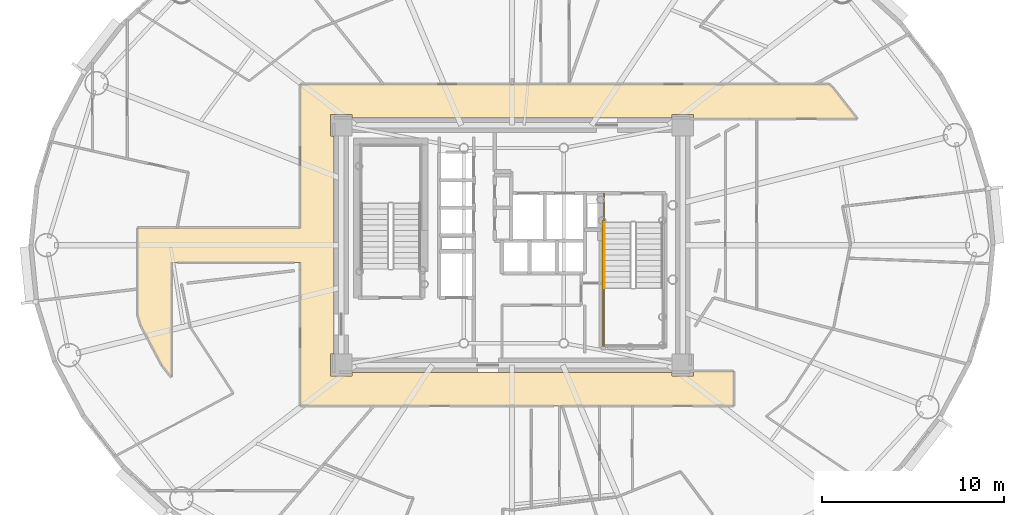
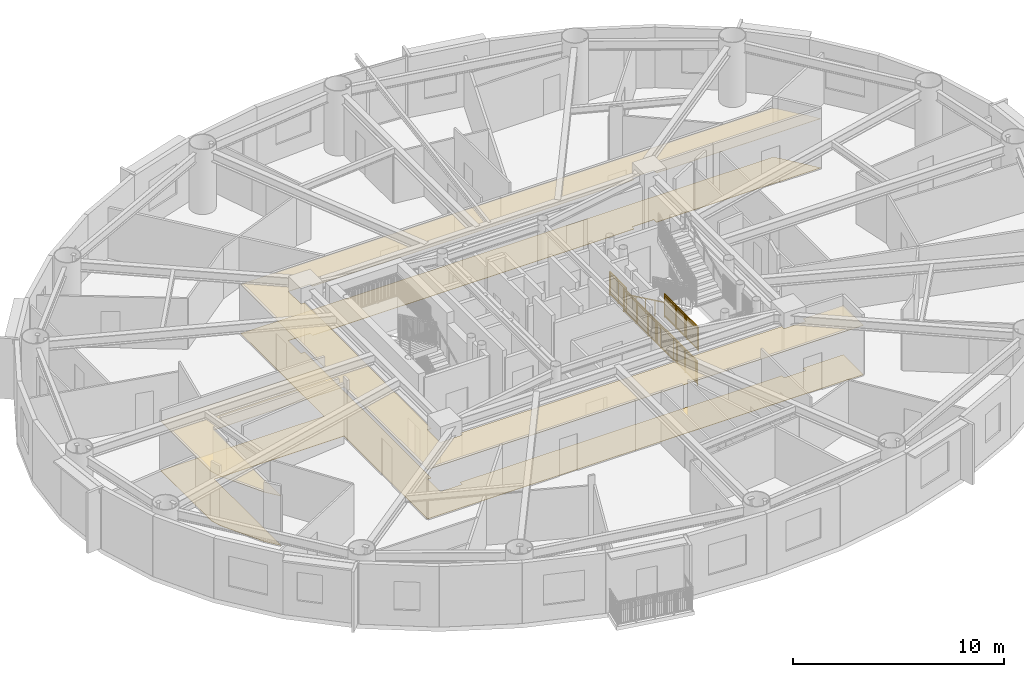
# One storey, part 14 of 17: 4 railings, 2 coverings.
"""IFC4 building model written with IfcOpenShell, lengths in metres."""

from ifc_helpers import new_model, si_unit, direction, frame, origin, origin_2d, place, context, subcontext, project, spatial, polyline, rectangle, outline, extrude, source, transform, mapped, material, layer, layer_set, type_object, element, save


model = new_model("IFC4")

# Units and contexts
model_context = context("Model", 3, precision=1e-05, world=origin(), true_north=direction((0.0, 1.0)))
body_context = subcontext(model_context, "Body", "Model", "MODEL_VIEW")
ifc_project = project(units=[si_unit("LENGTHUNIT", "METRE"), si_unit("AREAUNIT", "SQUARE_METRE"), si_unit("VOLUMEUNIT", "CUBIC_METRE"), si_unit("PLANEANGLEUNIT", "RADIAN"), si_unit("MASSUNIT", "GRAM", prefix="KILO")], contexts=[model_context])

# Site, building, storey
site_placement = place(None, origin())
site = spatial("IfcSite", under=ifc_project, at=site_placement, CompositionType="ELEMENT")
building_placement = place(site_placement, origin())
building = spatial("IfcBuilding", under=site, at=building_placement, Name="Linh Dai School and Residence Tower", CompositionType="ELEMENT")
storey_placement = place(building_placement, frame((0.0, 0.0, 182.39990234375)))
storey = spatial("IfcBuildingStorey", under=building, at=storey_placement, Name="L44", CompositionType="ELEMENT", Elevation=182.39990234375)

# Coverings
ifc_material_1 = material(Name="Mineral Fibre Acoustic Suspended Ceiling", Category="masonry")
ifc_layer_1 = layer(ifc_material_1, 0.02001953125)
ifc_layer_set_1 = layer_set([ifc_layer_1], Name="Mineral Fibre Acoustic Suspended Ceiling")
covering_type_1 = type_object("IfcCoveringType", Name="COV-CEIL-AC-20", PredefinedType="CEILING", material=ifc_layer_set_1)
covering_1_placement = place(storey_placement, frame((0.0, 0.0, 2.85009765625)))
element("IfcCovering", 1, at=covering_1_placement, inside=storey, type_object=covering_type_1, Name="L44 Residential Floor Corridor Suspended Ceiling", PredefinedType="CEILING", context=body_context, shape_type="SweptSolid", body=[
    extrude(outline(polyline([(17.25, 19.734375), (16.720458984375, 20.410888671875), (15.57421875, 22.577880859375), (15.39990234375, 23.14599609375), (15.39990234375, 27.949951171875), (24.35009765625, 27.949951171875), (24.35009765625, 35.85009765625), (53.453857421875, 35.85009765625), (53.6533203125, 35.6669921875), (54.9970703125, 33.949951171875), (46.0, 33.949951171875), (46.0, 34.199951171875), (44.800048828125, 34.199951171875), (44.800048828125, 34.0), (27.199951171875, 34.0), (27.199951171875, 34.199951171875), (26.0, 34.199951171875), (26.0, 33.0), (26.199951171875, 33.0), (26.199951171875, 21.0), (26.0, 21.0), (26.0, 19.800048828125), (27.199951171875, 19.800048828125), (27.199951171875, 20.0), (44.800048828125, 20.0), (44.800048828125, 19.800048828125), (46.0, 19.800048828125), (46.0, 20.050048828125), (48.199951171875, 20.050048828125), (48.199951171875, 18.14990234375), (24.35009765625, 18.14990234375), (24.35009765625, 26.050048828125), (17.25, 26.050048828125), (17.25, 19.734375)])), origin(), (0.0, 0.0, 1.0), 0.02001953125),
])
ifc_material_2 = material(Name="Polished Terrazzo Floor Finish", Category="masonry")
ifc_layer_2 = layer(ifc_material_2, 0.02490234375)
ifc_layer_set_2 = layer_set([ifc_layer_2], Name="Polished Terrazzo Floor Finish")
covering_type_2 = type_object("IfcCoveringType", Name="COV-FLR-TRZ-25", PredefinedType="FLOORING", material=ifc_layer_set_2)
covering_2_placement = place(storey_placement, origin())
element("IfcCovering", 2, at=covering_2_placement, inside=storey, type_object=covering_type_2, Name="L44 Residential Floor Corridor Floor Finish", PredefinedType="FLOORING", context=body_context, shape_type="SweptSolid", body=[
    extrude(outline(polyline([(17.25, 19.734375), (16.720458984375, 20.410888671875), (15.57421875, 22.577880859375), (15.39990234375, 23.14599609375), (15.39990234375, 27.949951171875), (24.35009765625, 27.949951171875), (24.35009765625, 35.85009765625), (53.453857421875, 35.85009765625), (53.6533203125, 35.6669921875), (54.9970703125, 33.949951171875), (46.0, 33.949951171875), (46.0, 34.199951171875), (44.800048828125, 34.199951171875), (44.800048828125, 34.0), (27.199951171875, 34.0), (27.199951171875, 34.199951171875), (26.0, 34.199951171875), (26.0, 33.0), (26.199951171875, 33.0), (26.199951171875, 21.0), (26.0, 21.0), (26.0, 19.800048828125), (27.199951171875, 19.800048828125), (27.199951171875, 20.0), (44.800048828125, 20.0), (44.800048828125, 19.800048828125), (46.0, 19.800048828125), (46.0, 20.050048828125), (48.199951171875, 20.050048828125), (48.199951171875, 18.14990234375), (24.35009765625, 18.14990234375), (24.35009765625, 26.050048828125), (17.25, 26.050048828125), (17.25, 19.734375)])), origin(), (0.0, 0.0, 1.0), 0.02001953125),
])

# Railings
ifc_material_3 = material(Name="Brushed Stainless Steel Handrail", Category="steel")
railing_type_1 = type_object("IfcRailingType", Name="RL-ST-HANDRAIL-900", PredefinedType="HANDRAIL", material=ifc_material_3)
shared_shape_1 = source(origin(), body_context, "Body", "SweptSolid", [
    extrude(rectangle(XDim=0.048095703125, YDim=0.048095703125, at=origin_2d()), frame((0.0, 0.0, 0.8759765625), z_axis=(0.0, -0.901262522062, 0.433273431364), x_axis=(1.0, 0.0, 0.0)), (0.0, 0.0, 1.0), 3.994384765625),
    extrude(rectangle(XDim=0.0419921875, YDim=0.0419921875, at=origin_2d()), origin(), (0.0, 0.0, 1.0), 0.8759765625),
    extrude(rectangle(XDim=0.0419921875, YDim=0.0419921875, at=origin_2d()), frame((0.0, -0.89990234375, 0.4326171875)), (0.0, 0.0, 1.0), 0.8759765625),
    extrude(rectangle(XDim=0.0419921875, YDim=0.0419921875, at=origin_2d()), frame((0.0, -1.800048828125, 0.865234375)), (0.0, 0.0, 1.0), 0.8759765625),
    extrude(rectangle(XDim=0.0419921875, YDim=0.0419921875, at=origin_2d()), frame((0.0, -2.7001953125, 1.298095703125)), (0.0, 0.0, 1.0), 0.8759765625),
    extrude(rectangle(XDim=0.0419921875, YDim=0.0419921875, at=origin_2d()), frame((0.0, -3.60009765625, 1.730712890625)), (0.0, 0.0, 1.0), 0.8759765625),
])
railing_1_placement = place(storey_placement, frame((41.070068359375, 28.25, 0.144287109375)))
element("IfcRailing", 3, at=railing_1_placement, inside=storey, type_object=railing_type_1, Name="L44 ST2 stair handrail 1", PredefinedType="HANDRAIL", context=body_context, shape_type="MappedRepresentation", body=[
    mapped(shared_shape_1, transform((0.0, 0.0, 0.0), x_axis=(1.0, 0.0, 0.0), y_axis=(0.0, 1.0, 0.0), z_axis=(0.0, 0.0, 1.0), scale=1.0)),
])
ifc_material_4 = material(Name="Structural Steel S355JR", Category="steel")
railing_type_2 = type_object("IfcRailingType", Name="RL-ST-GUARD-1400", PredefinedType="GUARDRAIL", material=ifc_material_4)
shared_shape_2 = source(origin(), body_context, "Body", "SweptSolid", [
    extrude(rectangle(XDim=0.048095703125, YDim=0.048095703125, at=origin_2d()), frame((0.0, 0.0, 1.3759765625), z_axis=(0.0, -1.0, 0.0), x_axis=(1.0, 0.0, 0.0)), (0.0, 0.0, 1.0), 1.60009765625),
    extrude(rectangle(XDim=0.048095703125, YDim=0.048095703125, at=origin_2d()), frame((0.0, 0.0, 0.10009765625), z_axis=(0.0, -1.0, 0.0), x_axis=(1.0, 0.0, 0.0)), (0.0, 0.0, 1.0), 1.60009765625),
    extrude(rectangle(XDim=0.030029296875, YDim=0.030029296875, at=origin_2d()), frame((0.0, 0.0, 1.239990234375), z_axis=(0.0, -1.0, 0.0), x_axis=(1.0, 0.0, 0.0)), (0.0, 0.0, 1.0), 1.60009765625),
    extrude(rectangle(XDim=0.02001953125, YDim=0.02001953125, at=origin_2d()), frame((0.0, -0.09423828125, 0.10009765625)), (0.0, 0.0, 1.0), 1.251708984375),
    extrude(rectangle(XDim=0.02001953125, YDim=0.02001953125, at=origin_2d()), frame((0.0, -0.188232421875, 0.10009765625)), (0.0, 0.0, 1.0), 1.251708984375),
    extrude(rectangle(XDim=0.02001953125, YDim=0.02001953125, at=origin_2d()), frame((0.0, -0.282470703125, 0.10009765625)), (0.0, 0.0, 1.0), 1.251708984375),
    extrude(rectangle(XDim=0.02001953125, YDim=0.02001953125, at=origin_2d()), frame((0.0, -0.37646484375, 0.10009765625)), (0.0, 0.0, 1.0), 1.251708984375),
    extrude(rectangle(XDim=0.02001953125, YDim=0.02001953125, at=origin_2d()), frame((0.0, -0.470703125, 0.10009765625)), (0.0, 0.0, 1.0), 1.251708984375),
    extrude(rectangle(XDim=0.02001953125, YDim=0.02001953125, at=origin_2d()), frame((0.0, -0.564697265625, 0.10009765625)), (0.0, 0.0, 1.0), 1.251708984375),
    extrude(rectangle(XDim=0.02001953125, YDim=0.02001953125, at=origin_2d()), frame((0.0, -0.658935546875, 0.10009765625)), (0.0, 0.0, 1.0), 1.251708984375),
    extrude(rectangle(XDim=0.02001953125, YDim=0.02001953125, at=origin_2d()), frame((0.0, -0.7529296875, 0.10009765625)), (0.0, 0.0, 1.0), 1.251708984375),
    extrude(rectangle(XDim=0.02001953125, YDim=0.02001953125, at=origin_2d()), frame((0.0, -0.84716796875, 0.10009765625)), (0.0, 0.0, 1.0), 1.251708984375),
    extrude(rectangle(XDim=0.02001953125, YDim=0.02001953125, at=origin_2d()), frame((0.0, -0.941162109375, 0.10009765625)), (0.0, 0.0, 1.0), 1.251708984375),
    extrude(rectangle(XDim=0.02001953125, YDim=0.02001953125, at=origin_2d()), frame((0.0, -1.035400390625, 0.10009765625)), (0.0, 0.0, 1.0), 1.251708984375),
    extrude(rectangle(XDim=0.02001953125, YDim=0.02001953125, at=origin_2d()), frame((0.0, -1.12939453125, 0.10009765625)), (0.0, 0.0, 1.0), 1.251708984375),
    extrude(rectangle(XDim=0.02001953125, YDim=0.02001953125, at=origin_2d()), frame((0.0, -1.2236328125, 0.10009765625)), (0.0, 0.0, 1.0), 1.251708984375),
    extrude(rectangle(XDim=0.02001953125, YDim=0.02001953125, at=origin_2d()), frame((0.0, -1.317626953125, 0.10009765625)), (0.0, 0.0, 1.0), 1.251708984375),
    extrude(rectangle(XDim=0.02001953125, YDim=0.02001953125, at=origin_2d()), frame((0.0, -1.411865234375, 0.10009765625)), (0.0, 0.0, 1.0), 1.251708984375),
    extrude(rectangle(XDim=0.02001953125, YDim=0.02001953125, at=origin_2d()), frame((0.0, -1.505859375, 0.10009765625)), (0.0, 0.0, 1.0), 1.251708984375),
    extrude(rectangle(XDim=0.0419921875, YDim=0.0419921875, at=origin_2d()), origin(), (0.0, 0.0, 1.0), 1.3759765625),
    extrude(rectangle(XDim=0.0419921875, YDim=0.0419921875, at=origin_2d()), frame((0.0, -0.800048828125, 0.0)), (0.0, 0.0, 1.0), 1.3759765625),
    extrude(rectangle(XDim=0.0419921875, YDim=0.0419921875, at=origin_2d()), frame((0.0, -1.60009765625, 0.0)), (0.0, 0.0, 1.0), 1.3759765625),
])
railing_2_placement = place(storey_placement, frame((41.070068359375, 29.85009765625, 0.0)))
element("IfcRailing", 4, at=railing_2_placement, inside=storey, type_object=railing_type_2, Name="L44 ST2 stair guard 8", PredefinedType="GUARDRAIL", context=body_context, shape_type="MappedRepresentation", body=[
    mapped(shared_shape_2, transform((0.0, 0.0, 0.0), x_axis=(1.0, 0.0, 0.0), y_axis=(0.0, 1.0, 0.0), z_axis=(0.0, 0.0, 1.0), scale=1.0)),
])
shared_shape_3 = source(origin(), body_context, "Body", "SweptSolid", [
    extrude(rectangle(XDim=0.048095703125, YDim=0.048095703125, at=origin_2d()), frame((0.0, 0.0, 1.3759765625), z_axis=(0.0, -1.0, 0.0), x_axis=(1.0, 0.0, 0.0)), (0.0, 0.0, 1.0), 7.0),
    extrude(rectangle(XDim=0.048095703125, YDim=0.048095703125, at=origin_2d()), frame((0.0, 0.0, 0.10009765625), z_axis=(0.0, -1.0, 0.0), x_axis=(1.0, 0.0, 0.0)), (0.0, 0.0, 1.0), 7.0),
    extrude(rectangle(XDim=0.030029296875, YDim=0.030029296875, at=origin_2d()), frame((0.0, 0.0, 1.239990234375), z_axis=(0.0, -1.0, 0.0), x_axis=(1.0, 0.0, 0.0)), (0.0, 0.0, 1.0), 7.0),
    extrude(rectangle(XDim=0.02001953125, YDim=0.02001953125, at=origin_2d()), frame((0.0, -0.09716796875, 0.10009765625)), (0.0, 0.0, 1.0), 1.251708984375),
    extrude(rectangle(XDim=0.02001953125, YDim=0.02001953125, at=origin_2d()), frame((0.0, -0.1943359375, 0.10009765625)), (0.0, 0.0, 1.0), 1.251708984375),
    extrude(rectangle(XDim=0.02001953125, YDim=0.02001953125, at=origin_2d()), frame((0.0, -0.291748046875, 0.10009765625)), (0.0, 0.0, 1.0), 1.251708984375),
    extrude(rectangle(XDim=0.02001953125, YDim=0.02001953125, at=origin_2d()), frame((0.0, -0.388916015625, 0.10009765625)), (0.0, 0.0, 1.0), 1.251708984375),
    extrude(rectangle(XDim=0.02001953125, YDim=0.02001953125, at=origin_2d()), frame((0.0, -0.486083984375, 0.10009765625)), (0.0, 0.0, 1.0), 1.251708984375),
    extrude(rectangle(XDim=0.02001953125, YDim=0.02001953125, at=origin_2d()), frame((0.0, -0.583251953125, 0.10009765625)), (0.0, 0.0, 1.0), 1.251708984375),
    extrude(rectangle(XDim=0.02001953125, YDim=0.02001953125, at=origin_2d()), frame((0.0, -0.6806640625, 0.10009765625)), (0.0, 0.0, 1.0), 1.251708984375),
    extrude(rectangle(XDim=0.02001953125, YDim=0.02001953125, at=origin_2d()), frame((0.0, -0.77783203125, 0.10009765625)), (0.0, 0.0, 1.0), 1.251708984375),
    extrude(rectangle(XDim=0.02001953125, YDim=0.02001953125, at=origin_2d()), frame((0.0, -0.875, 0.10009765625)), (0.0, 0.0, 1.0), 1.251708984375),
    extrude(rectangle(XDim=0.02001953125, YDim=0.02001953125, at=origin_2d()), frame((0.0, -0.97216796875, 0.10009765625)), (0.0, 0.0, 1.0), 1.251708984375),
    extrude(rectangle(XDim=0.02001953125, YDim=0.02001953125, at=origin_2d()), frame((0.0, -1.0693359375, 0.10009765625)), (0.0, 0.0, 1.0), 1.251708984375),
    extrude(rectangle(XDim=0.02001953125, YDim=0.02001953125, at=origin_2d()), frame((0.0, -1.263916015625, 0.10009765625)), (0.0, 0.0, 1.0), 1.251708984375),
    extrude(rectangle(XDim=0.02001953125, YDim=0.02001953125, at=origin_2d()), frame((0.0, -1.361083984375, 0.10009765625)), (0.0, 0.0, 1.0), 1.251708984375),
    extrude(rectangle(XDim=0.02001953125, YDim=0.02001953125, at=origin_2d()), frame((0.0, -1.458251953125, 0.10009765625)), (0.0, 0.0, 1.0), 1.251708984375),
    extrude(rectangle(XDim=0.02001953125, YDim=0.02001953125, at=origin_2d()), frame((0.0, -1.5556640625, 0.10009765625)), (0.0, 0.0, 1.0), 1.251708984375),
    extrude(rectangle(XDim=0.02001953125, YDim=0.02001953125, at=origin_2d()), frame((0.0, -1.65283203125, 0.10009765625)), (0.0, 0.0, 1.0), 1.251708984375),
    extrude(rectangle(XDim=0.02001953125, YDim=0.02001953125, at=origin_2d()), frame((0.0, -1.75, 0.10009765625)), (0.0, 0.0, 1.0), 1.251708984375),
    extrude(rectangle(XDim=0.02001953125, YDim=0.02001953125, at=origin_2d()), frame((0.0, -1.84716796875, 0.10009765625)), (0.0, 0.0, 1.0), 1.251708984375),
    extrude(rectangle(XDim=0.02001953125, YDim=0.02001953125, at=origin_2d()), frame((0.0, -1.9443359375, 0.10009765625)), (0.0, 0.0, 1.0), 1.251708984375),
    extrude(rectangle(XDim=0.02001953125, YDim=0.02001953125, at=origin_2d()), frame((0.0, -2.041748046875, 0.10009765625)), (0.0, 0.0, 1.0), 1.251708984375),
    extrude(rectangle(XDim=0.02001953125, YDim=0.02001953125, at=origin_2d()), frame((0.0, -2.138916015625, 0.10009765625)), (0.0, 0.0, 1.0), 1.251708984375),
    extrude(rectangle(XDim=0.02001953125, YDim=0.02001953125, at=origin_2d()), frame((0.0, -2.236083984375, 0.10009765625)), (0.0, 0.0, 1.0), 1.251708984375),
    extrude(rectangle(XDim=0.02001953125, YDim=0.02001953125, at=origin_2d()), frame((0.0, -2.4306640625, 0.10009765625)), (0.0, 0.0, 1.0), 1.251708984375),
    extrude(rectangle(XDim=0.02001953125, YDim=0.02001953125, at=origin_2d()), frame((0.0, -2.52783203125, 0.10009765625)), (0.0, 0.0, 1.0), 1.251708984375),
    extrude(rectangle(XDim=0.02001953125, YDim=0.02001953125, at=origin_2d()), frame((0.0, -2.625, 0.10009765625)), (0.0, 0.0, 1.0), 1.251708984375),
    extrude(rectangle(XDim=0.02001953125, YDim=0.02001953125, at=origin_2d()), frame((0.0, -2.72216796875, 0.10009765625)), (0.0, 0.0, 1.0), 1.251708984375),
    extrude(rectangle(XDim=0.02001953125, YDim=0.02001953125, at=origin_2d()), frame((0.0, -2.8193359375, 0.10009765625)), (0.0, 0.0, 1.0), 1.251708984375),
    extrude(rectangle(XDim=0.02001953125, YDim=0.02001953125, at=origin_2d()), frame((0.0, -2.916748046875, 0.10009765625)), (0.0, 0.0, 1.0), 1.251708984375),
    extrude(rectangle(XDim=0.02001953125, YDim=0.02001953125, at=origin_2d()), frame((0.0, -3.013916015625, 0.10009765625)), (0.0, 0.0, 1.0), 1.251708984375),
    extrude(rectangle(XDim=0.02001953125, YDim=0.02001953125, at=origin_2d()), frame((0.0, -3.111083984375, 0.10009765625)), (0.0, 0.0, 1.0), 1.251708984375),
    extrude(rectangle(XDim=0.02001953125, YDim=0.02001953125, at=origin_2d()), frame((0.0, -3.208251953125, 0.10009765625)), (0.0, 0.0, 1.0), 1.251708984375),
    extrude(rectangle(XDim=0.02001953125, YDim=0.02001953125, at=origin_2d()), frame((0.0, -3.3056640625, 0.10009765625)), (0.0, 0.0, 1.0), 1.251708984375),
    extrude(rectangle(XDim=0.02001953125, YDim=0.02001953125, at=origin_2d()), frame((0.0, -3.40283203125, 0.10009765625)), (0.0, 0.0, 1.0), 1.251708984375),
    extrude(rectangle(XDim=0.02001953125, YDim=0.02001953125, at=origin_2d()), frame((0.0, -3.59716796875, 0.10009765625)), (0.0, 0.0, 1.0), 1.251708984375),
    extrude(rectangle(XDim=0.02001953125, YDim=0.02001953125, at=origin_2d()), frame((0.0, -3.6943359375, 0.10009765625)), (0.0, 0.0, 1.0), 1.251708984375),
    extrude(rectangle(XDim=0.02001953125, YDim=0.02001953125, at=origin_2d()), frame((0.0, -3.791748046875, 0.10009765625)), (0.0, 0.0, 1.0), 1.251708984375),
    extrude(rectangle(XDim=0.02001953125, YDim=0.02001953125, at=origin_2d()), frame((0.0, -3.888916015625, 0.10009765625)), (0.0, 0.0, 1.0), 1.251708984375),
    extrude(rectangle(XDim=0.02001953125, YDim=0.02001953125, at=origin_2d()), frame((0.0, -3.986083984375, 0.10009765625)), (0.0, 0.0, 1.0), 1.251708984375),
    extrude(rectangle(XDim=0.02001953125, YDim=0.02001953125, at=origin_2d()), frame((0.0, -4.083251953125, 0.10009765625)), (0.0, 0.0, 1.0), 1.251708984375),
    extrude(rectangle(XDim=0.02001953125, YDim=0.02001953125, at=origin_2d()), frame((0.0, -4.1806640625, 0.10009765625)), (0.0, 0.0, 1.0), 1.251708984375),
    extrude(rectangle(XDim=0.02001953125, YDim=0.02001953125, at=origin_2d()), frame((0.0, -4.27783203125, 0.10009765625)), (0.0, 0.0, 1.0), 1.251708984375),
    extrude(rectangle(XDim=0.02001953125, YDim=0.02001953125, at=origin_2d()), frame((0.0, -4.375, 0.10009765625)), (0.0, 0.0, 1.0), 1.251708984375),
    extrude(rectangle(XDim=0.02001953125, YDim=0.02001953125, at=origin_2d()), frame((0.0, -4.47216796875, 0.10009765625)), (0.0, 0.0, 1.0), 1.251708984375),
    extrude(rectangle(XDim=0.02001953125, YDim=0.02001953125, at=origin_2d()), frame((0.0, -4.5693359375, 0.10009765625)), (0.0, 0.0, 1.0), 1.251708984375),
    extrude(rectangle(XDim=0.02001953125, YDim=0.02001953125, at=origin_2d()), frame((0.0, -4.763916015625, 0.10009765625)), (0.0, 0.0, 1.0), 1.251708984375),
    extrude(rectangle(XDim=0.02001953125, YDim=0.02001953125, at=origin_2d()), frame((0.0, -4.861083984375, 0.10009765625)), (0.0, 0.0, 1.0), 1.251708984375),
    extrude(rectangle(XDim=0.02001953125, YDim=0.02001953125, at=origin_2d()), frame((0.0, -4.958251953125, 0.10009765625)), (0.0, 0.0, 1.0), 1.251708984375),
    extrude(rectangle(XDim=0.02001953125, YDim=0.02001953125, at=origin_2d()), frame((0.0, -5.0556640625, 0.10009765625)), (0.0, 0.0, 1.0), 1.251708984375),
    extrude(rectangle(XDim=0.02001953125, YDim=0.02001953125, at=origin_2d()), frame((0.0, -5.15283203125, 0.10009765625)), (0.0, 0.0, 1.0), 1.251708984375),
    extrude(rectangle(XDim=0.02001953125, YDim=0.02001953125, at=origin_2d()), frame((0.0, -5.25, 0.10009765625)), (0.0, 0.0, 1.0), 1.251708984375),
    extrude(rectangle(XDim=0.02001953125, YDim=0.02001953125, at=origin_2d()), frame((0.0, -5.34716796875, 0.10009765625)), (0.0, 0.0, 1.0), 1.251708984375),
    extrude(rectangle(XDim=0.02001953125, YDim=0.02001953125, at=origin_2d()), frame((0.0, -5.4443359375, 0.10009765625)), (0.0, 0.0, 1.0), 1.251708984375),
    extrude(rectangle(XDim=0.02001953125, YDim=0.02001953125, at=origin_2d()), frame((0.0, -5.541748046875, 0.10009765625)), (0.0, 0.0, 1.0), 1.251708984375),
    extrude(rectangle(XDim=0.02001953125, YDim=0.02001953125, at=origin_2d()), frame((0.0, -5.638916015625, 0.10009765625)), (0.0, 0.0, 1.0), 1.251708984375),
    extrude(rectangle(XDim=0.02001953125, YDim=0.02001953125, at=origin_2d()), frame((0.0, -5.736083984375, 0.10009765625)), (0.0, 0.0, 1.0), 1.251708984375),
    extrude(rectangle(XDim=0.02001953125, YDim=0.02001953125, at=origin_2d()), frame((0.0, -5.9306640625, 0.10009765625)), (0.0, 0.0, 1.0), 1.251708984375),
    extrude(rectangle(XDim=0.02001953125, YDim=0.02001953125, at=origin_2d()), frame((0.0, -6.02783203125, 0.10009765625)), (0.0, 0.0, 1.0), 1.251708984375),
    extrude(rectangle(XDim=0.02001953125, YDim=0.02001953125, at=origin_2d()), frame((0.0, -6.125, 0.10009765625)), (0.0, 0.0, 1.0), 1.251708984375),
    extrude(rectangle(XDim=0.02001953125, YDim=0.02001953125, at=origin_2d()), frame((0.0, -6.22216796875, 0.10009765625)), (0.0, 0.0, 1.0), 1.251708984375),
    extrude(rectangle(XDim=0.02001953125, YDim=0.02001953125, at=origin_2d()), frame((0.0, -6.3193359375, 0.10009765625)), (0.0, 0.0, 1.0), 1.251708984375),
    extrude(rectangle(XDim=0.02001953125, YDim=0.02001953125, at=origin_2d()), frame((0.0, -6.416748046875, 0.10009765625)), (0.0, 0.0, 1.0), 1.251708984375),
    extrude(rectangle(XDim=0.02001953125, YDim=0.02001953125, at=origin_2d()), frame((0.0, -6.513916015625, 0.10009765625)), (0.0, 0.0, 1.0), 1.251708984375),
    extrude(rectangle(XDim=0.02001953125, YDim=0.02001953125, at=origin_2d()), frame((0.0, -6.611083984375, 0.10009765625)), (0.0, 0.0, 1.0), 1.251708984375),
    extrude(rectangle(XDim=0.02001953125, YDim=0.02001953125, at=origin_2d()), frame((0.0, -6.708251953125, 0.10009765625)), (0.0, 0.0, 1.0), 1.251708984375),
    extrude(rectangle(XDim=0.02001953125, YDim=0.02001953125, at=origin_2d()), frame((0.0, -6.8056640625, 0.10009765625)), (0.0, 0.0, 1.0), 1.251708984375),
    extrude(rectangle(XDim=0.02001953125, YDim=0.02001953125, at=origin_2d()), frame((0.0, -6.90283203125, 0.10009765625)), (0.0, 0.0, 1.0), 1.251708984375),
    extrude(rectangle(XDim=0.0419921875, YDim=0.0419921875, at=origin_2d()), origin(), (0.0, 0.0, 1.0), 1.3759765625),
    extrude(rectangle(XDim=0.0419921875, YDim=0.0419921875, at=origin_2d()), frame((0.0, -1.166748046875, 0.0)), (0.0, 0.0, 1.0), 1.3759765625),
    extrude(rectangle(XDim=0.0419921875, YDim=0.0419921875, at=origin_2d()), frame((0.0, -2.333251953125, 0.0)), (0.0, 0.0, 1.0), 1.3759765625),
    extrude(rectangle(XDim=0.0419921875, YDim=0.0419921875, at=origin_2d()), frame((0.0, -3.5, 0.0)), (0.0, 0.0, 1.0), 1.3759765625),
    extrude(rectangle(XDim=0.0419921875, YDim=0.0419921875, at=origin_2d()), frame((0.0, -4.666748046875, 0.0)), (0.0, 0.0, 1.0), 1.3759765625),
    extrude(rectangle(XDim=0.0419921875, YDim=0.0419921875, at=origin_2d()), frame((0.0, -5.833251953125, 0.0)), (0.0, 0.0, 1.0), 1.3759765625),
    extrude(rectangle(XDim=0.0419921875, YDim=0.0419921875, at=origin_2d()), frame((0.0, -7.0, 0.0)), (0.0, 0.0, 1.0), 1.3759765625),
])
railing_3_placement = place(storey_placement, frame((40.969970703125, 28.35009765625, 0.0)))
element("IfcRailing", 5, at=railing_3_placement, inside=storey, type_object=railing_type_2, Name="L44 ST2 stair guard 10", PredefinedType="GUARDRAIL", context=body_context, shape_type="MappedRepresentation", body=[
    mapped(shared_shape_3, transform((0.0, 0.0, 0.0), x_axis=(1.0, 0.0, 0.0), y_axis=(0.0, 1.0, 0.0), z_axis=(0.0, 0.0, 1.0), scale=1.0)),
])
shared_shape_4 = source(origin(), body_context, "Body", "SweptSolid", [
    extrude(rectangle(XDim=0.048095703125, YDim=0.048095703125, at=origin_2d()), frame((0.0, 0.0, 1.3759765625), z_axis=(0.0, -1.0, 0.0), x_axis=(1.0, 0.0, 0.0)), (0.0, 0.0, 1.0), 3.199951171875),
    extrude(rectangle(XDim=0.048095703125, YDim=0.048095703125, at=origin_2d()), frame((0.0, 0.0, 0.10009765625), z_axis=(0.0, -1.0, 0.0), x_axis=(1.0, 0.0, 0.0)), (0.0, 0.0, 1.0), 3.199951171875),
    extrude(rectangle(XDim=0.030029296875, YDim=0.030029296875, at=origin_2d()), frame((0.0, 0.0, 1.239990234375), z_axis=(0.0, -1.0, 0.0), x_axis=(1.0, 0.0, 0.0)), (0.0, 0.0, 1.0), 3.199951171875),
    extrude(rectangle(XDim=0.02001953125, YDim=0.02001953125, at=origin_2d()), frame((0.0, -0.096923828125, 0.10009765625)), (0.0, 0.0, 1.0), 1.251708984375),
    extrude(rectangle(XDim=0.02001953125, YDim=0.02001953125, at=origin_2d()), frame((0.0, -0.19384765625, 0.10009765625)), (0.0, 0.0, 1.0), 1.251708984375),
    extrude(rectangle(XDim=0.02001953125, YDim=0.02001953125, at=origin_2d()), frame((0.0, -0.291015625, 0.10009765625)), (0.0, 0.0, 1.0), 1.251708984375),
    extrude(rectangle(XDim=0.02001953125, YDim=0.02001953125, at=origin_2d()), frame((0.0, -0.387939453125, 0.10009765625)), (0.0, 0.0, 1.0), 1.251708984375),
    extrude(rectangle(XDim=0.02001953125, YDim=0.02001953125, at=origin_2d()), frame((0.0, -0.48486328125, 0.10009765625)), (0.0, 0.0, 1.0), 1.251708984375),
    extrude(rectangle(XDim=0.02001953125, YDim=0.02001953125, at=origin_2d()), frame((0.0, -0.581787109375, 0.10009765625)), (0.0, 0.0, 1.0), 1.251708984375),
    extrude(rectangle(XDim=0.02001953125, YDim=0.02001953125, at=origin_2d()), frame((0.0, -0.6787109375, 0.10009765625)), (0.0, 0.0, 1.0), 1.251708984375),
    extrude(rectangle(XDim=0.02001953125, YDim=0.02001953125, at=origin_2d()), frame((0.0, -0.775634765625, 0.10009765625)), (0.0, 0.0, 1.0), 1.251708984375),
    extrude(rectangle(XDim=0.02001953125, YDim=0.02001953125, at=origin_2d()), frame((0.0, -0.872802734375, 0.10009765625)), (0.0, 0.0, 1.0), 1.251708984375),
    extrude(rectangle(XDim=0.02001953125, YDim=0.02001953125, at=origin_2d()), frame((0.0, -0.9697265625, 0.10009765625)), (0.0, 0.0, 1.0), 1.251708984375),
    extrude(rectangle(XDim=0.02001953125, YDim=0.02001953125, at=origin_2d()), frame((0.0, -1.16357421875, 0.10009765625)), (0.0, 0.0, 1.0), 1.251708984375),
    extrude(rectangle(XDim=0.02001953125, YDim=0.02001953125, at=origin_2d()), frame((0.0, -1.260498046875, 0.10009765625)), (0.0, 0.0, 1.0), 1.251708984375),
    extrude(rectangle(XDim=0.02001953125, YDim=0.02001953125, at=origin_2d()), frame((0.0, -1.357666015625, 0.10009765625)), (0.0, 0.0, 1.0), 1.251708984375),
    extrude(rectangle(XDim=0.02001953125, YDim=0.02001953125, at=origin_2d()), frame((0.0, -1.45458984375, 0.10009765625)), (0.0, 0.0, 1.0), 1.251708984375),
    extrude(rectangle(XDim=0.02001953125, YDim=0.02001953125, at=origin_2d()), frame((0.0, -1.551513671875, 0.10009765625)), (0.0, 0.0, 1.0), 1.251708984375),
    extrude(rectangle(XDim=0.02001953125, YDim=0.02001953125, at=origin_2d()), frame((0.0, -1.6484375, 0.10009765625)), (0.0, 0.0, 1.0), 1.251708984375),
    extrude(rectangle(XDim=0.02001953125, YDim=0.02001953125, at=origin_2d()), frame((0.0, -1.745361328125, 0.10009765625)), (0.0, 0.0, 1.0), 1.251708984375),
    extrude(rectangle(XDim=0.02001953125, YDim=0.02001953125, at=origin_2d()), frame((0.0, -1.84228515625, 0.10009765625)), (0.0, 0.0, 1.0), 1.251708984375),
    extrude(rectangle(XDim=0.02001953125, YDim=0.02001953125, at=origin_2d()), frame((0.0, -1.939453125, 0.10009765625)), (0.0, 0.0, 1.0), 1.251708984375),
    extrude(rectangle(XDim=0.02001953125, YDim=0.02001953125, at=origin_2d()), frame((0.0, -2.036376953125, 0.10009765625)), (0.0, 0.0, 1.0), 1.251708984375),
    extrude(rectangle(XDim=0.02001953125, YDim=0.02001953125, at=origin_2d()), frame((0.0, -2.230224609375, 0.10009765625)), (0.0, 0.0, 1.0), 1.251708984375),
    extrude(rectangle(XDim=0.02001953125, YDim=0.02001953125, at=origin_2d()), frame((0.0, -2.3271484375, 0.10009765625)), (0.0, 0.0, 1.0), 1.251708984375),
    extrude(rectangle(XDim=0.02001953125, YDim=0.02001953125, at=origin_2d()), frame((0.0, -2.42431640625, 0.10009765625)), (0.0, 0.0, 1.0), 1.251708984375),
    extrude(rectangle(XDim=0.02001953125, YDim=0.02001953125, at=origin_2d()), frame((0.0, -2.521240234375, 0.10009765625)), (0.0, 0.0, 1.0), 1.251708984375),
    extrude(rectangle(XDim=0.02001953125, YDim=0.02001953125, at=origin_2d()), frame((0.0, -2.6181640625, 0.10009765625)), (0.0, 0.0, 1.0), 1.251708984375),
    extrude(rectangle(XDim=0.02001953125, YDim=0.02001953125, at=origin_2d()), frame((0.0, -2.715087890625, 0.10009765625)), (0.0, 0.0, 1.0), 1.251708984375),
    extrude(rectangle(XDim=0.02001953125, YDim=0.02001953125, at=origin_2d()), frame((0.0, -2.81201171875, 0.10009765625)), (0.0, 0.0, 1.0), 1.251708984375),
    extrude(rectangle(XDim=0.02001953125, YDim=0.02001953125, at=origin_2d()), frame((0.0, -2.908935546875, 0.10009765625)), (0.0, 0.0, 1.0), 1.251708984375),
    extrude(rectangle(XDim=0.02001953125, YDim=0.02001953125, at=origin_2d()), frame((0.0, -3.006103515625, 0.10009765625)), (0.0, 0.0, 1.0), 1.251708984375),
    extrude(rectangle(XDim=0.02001953125, YDim=0.02001953125, at=origin_2d()), frame((0.0, -3.10302734375, 0.10009765625)), (0.0, 0.0, 1.0), 1.251708984375),
    extrude(rectangle(XDim=0.0419921875, YDim=0.0419921875, at=origin_2d()), origin(), (0.0, 0.0, 1.0), 1.3759765625),
    extrude(rectangle(XDim=0.0419921875, YDim=0.0419921875, at=origin_2d()), frame((0.0, -1.066650390625, 0.0)), (0.0, 0.0, 1.0), 1.3759765625),
    extrude(rectangle(XDim=0.0419921875, YDim=0.0419921875, at=origin_2d()), frame((0.0, -2.13330078125, 0.0)), (0.0, 0.0, 1.0), 1.3759765625),
    extrude(rectangle(XDim=0.0419921875, YDim=0.0419921875, at=origin_2d()), frame((0.0, -3.199951171875, 0.0)), (0.0, 0.0, 1.0), 1.3759765625),
])
railing_4_placement = place(storey_placement, frame((41.070068359375, 24.64990234375, 1.875)))
element("IfcRailing", 6, at=railing_4_placement, inside=storey, type_object=railing_type_2, Name="L44 ST2 stair guard 3", PredefinedType="GUARDRAIL", context=body_context, shape_type="MappedRepresentation", body=[
    mapped(shared_shape_4, transform((0.0, 0.0, 0.0), x_axis=(1.0, 0.0, 0.0), y_axis=(0.0, 1.0, 0.0), z_axis=(0.0, 0.0, 1.0), scale=1.0)),
])

save(model, "model.ifc")
